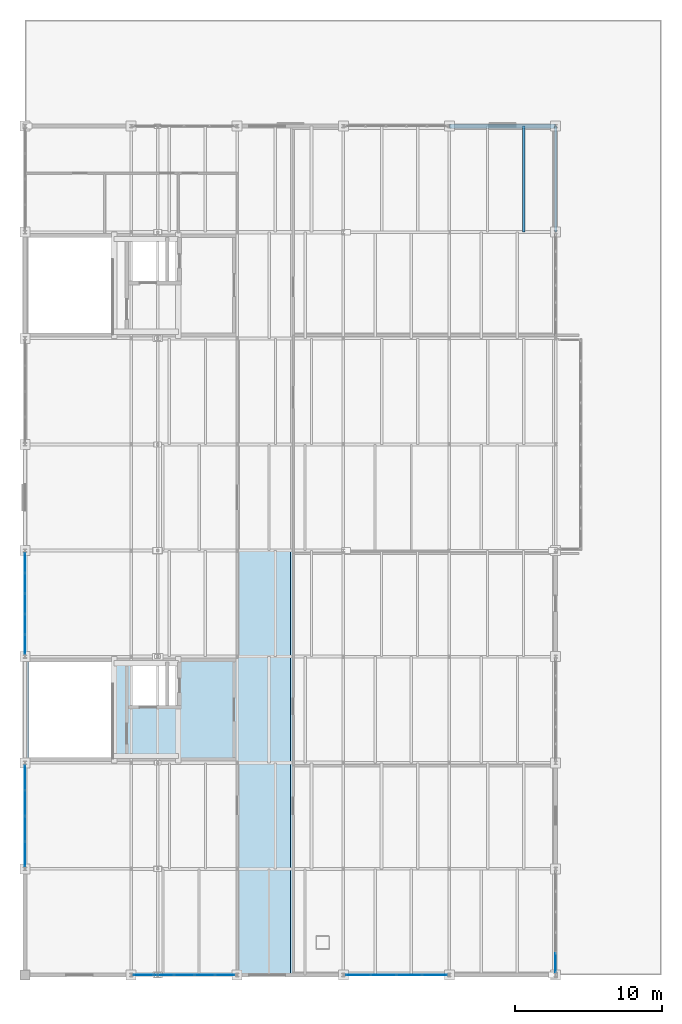
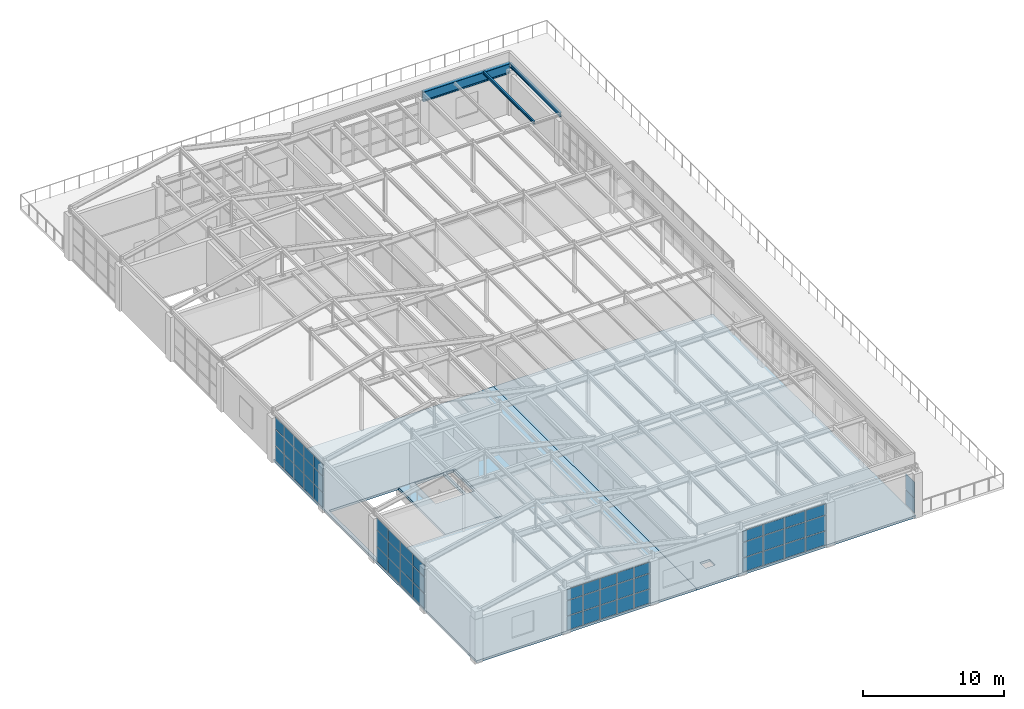
# One storey, part 36 of 43: 56 plates, 3 beams, 3 slabs, 5 elements without a shape of their own.
"""IFC4 building model written with IfcOpenShell, lengths in metres."""

import ifcopenshell
import ifcopenshell.guid

model = None  # the IFC model being written
_history = None  # IfcOwnerHistory: only IFC2X3 demands one
_inside = {}  # id of a spatial element -> (the spatial element, [elements in it])
_under = {}  # id of a project, library or spatial element -> (it, [spatial elements below it])
_declared = {}  # id of a project -> (the project, [libraries it declares])
_typed = {}  # id of a type object -> (the type object, [elements of that type])
_made_of = {}  # id of a material, layer set ... -> (it, [elements and type objects made of it])


def new_model(schema):
    """Start an empty IFC model of exactly this schema.

    Asked for "IFC4X3", IfcOpenShell would pick the latest addendum, in which some entities
    have other attributes; the version numbers below select the first issue.
    IFC2X3 requires an IfcOwnerHistory on every rooted entity: one is made here for all.
    """
    global model, _history
    if schema == "IFC4X3":
        model = ifcopenshell.file(schema_version=(4, 3, 0, 0))
    else:
        model = ifcopenshell.file(schema=schema)
    _inside.clear()
    _under.clear()
    _declared.clear()
    _typed.clear()
    _made_of.clear()
    _history = None
    if model.schema == "IFC2X3":
        org = make("IfcOrganization", Name="unknown")
        user = make(
            "IfcPersonAndOrganization",
            ThePerson=make("IfcPerson", FamilyName="unknown"),
            TheOrganization=org,
        )
        app = make(
            "IfcApplication",
            ApplicationDeveloper=org,
            Version="unknown",
            ApplicationFullName="unknown",
            ApplicationIdentifier="unknown",
        )
        _history = make(
            "IfcOwnerHistory",
            OwningUser=user,
            OwningApplication=app,
            ChangeAction="ADDED",
            CreationDate=0,
        )
    return model


def make(cls, **values):
    """One entity of the class cls with the attributes given. An attribute that is None is left unset."""
    return model.create_entity(
        cls, **{name: value for name, value in values.items() if value is not None}
    )


def rooted(cls, **values):
    """An entity with a GlobalId (a new one), such as an element, a storey or a relation."""
    return make(cls, GlobalId=ifcopenshell.guid.new(), OwnerHistory=_history, **values)


def si_unit(unit_type, name, prefix=None):
    """IfcSIUnit, for example si_unit("LENGTHUNIT", "METRE", prefix="MILLI")."""
    return make("IfcSIUnit", UnitType=unit_type, Prefix=prefix, Name=name)


def assignment(units):
    """IfcUnitAssignment: the units of a project."""
    return None if units is None else make("IfcUnitAssignment", Units=units)


def point(xyz):
    """IfcCartesianPoint."""
    return None if xyz is None else make("IfcCartesianPoint", Coordinates=xyz)


def direction(xyz):
    """IfcDirection."""
    return None if xyz is None else make("IfcDirection", DirectionRatios=xyz)


def frame(location, z_axis=None, x_axis=None):
    """IfcAxis2Placement3D, a coordinate frame: its origin and axes. An axis left out is left unset."""
    return make(
        "IfcAxis2Placement3D",
        Location=point(location),
        Axis=direction(z_axis),
        RefDirection=direction(x_axis),
    )


def frame_2d(location, x_axis=None):
    """IfcAxis2Placement2D, a coordinate frame in the plane: its origin and x axis."""
    return make(
        "IfcAxis2Placement2D", Location=point(location), RefDirection=direction(x_axis)
    )


def origin():
    """The frame at (0, 0, 0) with its axes left unset."""
    return frame((0.0, 0.0, 0.0))


def origin_2d():
    """The frame at (0, 0) in the plane with its x axis left unset."""
    return frame_2d((0.0, 0.0))


def place(relative_to, where):
    """IfcLocalPlacement: puts the frame where relative to a parent placement (None: the world)."""
    return make(
        "IfcLocalPlacement", PlacementRelTo=relative_to, RelativePlacement=where
    )


def context(
    kind, dimensions, precision=None, world=None, true_north=None, identifier=None
):
    """IfcGeometricRepresentationContext, for example the 3D "Model" context."""
    return make(
        "IfcGeometricRepresentationContext",
        ContextIdentifier=identifier,
        ContextType=kind,
        CoordinateSpaceDimension=dimensions,
        Precision=precision,
        WorldCoordinateSystem=world,
        TrueNorth=true_north,
    )


def subcontext(parent, identifier, kind, view, scale=None):
    """IfcGeometricRepresentationSubContext, for example "Body" below "Model"."""
    return make(
        "IfcGeometricRepresentationSubContext",
        ContextIdentifier=identifier,
        ContextType=kind,
        ParentContext=parent,
        TargetScale=scale,
        TargetView=view,
    )


def project(units=None, contexts=None):
    """IfcProject with its units and contexts."""
    return rooted(
        "IfcProject",
        Name="project",
        RepresentationContexts=contexts,
        UnitsInContext=assignment(units),
    )


def spatial(cls, under=None, at=None, **own):
    """A site, building, storey or space (cls), placed at a placement, below another one or the project."""
    s = rooted(cls, ObjectPlacement=at, **own)
    if under is not None:
        _under.setdefault(under.id(), (under, []))[1].append(s)
    return s


def polyline(points):
    """IfcPolyline through the points."""
    return make("IfcPolyline", Points=[point(p) for p in points])


def profile(cls, at=None, kind="AREA", **sizes):
    """A parametric profile (cls). Its sizes go by their IFC names, for example OverallWidth=200.0."""
    return make(cls, ProfileType=kind, Position=at, **sizes)


def rectangle(**sizes):
    """IfcRectangleProfileDef."""
    return profile("IfcRectangleProfileDef", **sizes)


def i_section(**sizes):
    """IfcIShapeProfileDef."""
    return profile("IfcIShapeProfileDef", **sizes)


def outline(outer, holes=None, kind="AREA"):
    """IfcArbitraryClosedProfileDef: a profile drawn as a closed curve; with holes, ...WithVoids."""
    if holes is None:
        return make("IfcArbitraryClosedProfileDef", ProfileType=kind, OuterCurve=outer)
    return make(
        "IfcArbitraryProfileDefWithVoids",
        ProfileType=kind,
        OuterCurve=outer,
        InnerCurves=holes,
    )


def extrude(swept, where, along, depth):
    """IfcExtrudedAreaSolid: the profile swept, set in the frame where, extruded along a direction by depth."""
    return make(
        "IfcExtrudedAreaSolid",
        SweptArea=swept,
        Position=where,
        ExtrudedDirection=direction(along),
        Depth=depth,
    )


def shape(context_of_items, identifier, shape_type, items):
    """IfcShapeRepresentation: the items that make up one representation, for example the "Body"."""
    return make(
        "IfcShapeRepresentation",
        ContextOfItems=context_of_items,
        RepresentationIdentifier=identifier,
        RepresentationType=shape_type,
        Items=items,
    )


def material(Name=None, Category=None):
    """IfcMaterial."""
    return make("IfcMaterial", Name=Name, Category=Category)


def layer(
    of_material, thickness, ventilated=None, Name=None, Category=None, Priority=None
):
    """IfcMaterialLayer: one layer of a wall or slab, of a material (None: an air gap)."""
    return make(
        "IfcMaterialLayer",
        Material=of_material,
        LayerThickness=thickness,
        IsVentilated=ventilated,
        Name=Name,
        Category=Category,
        Priority=Priority,
    )


def layer_set(layers, Name=None):
    """IfcMaterialLayerSet."""
    return make("IfcMaterialLayerSet", MaterialLayers=layers, LayerSetName=Name)


def material_profile(
    of_material, cross_section, Name=None, Category=None, Priority=None
):
    """IfcMaterialProfile: a cross section and its material."""
    return make(
        "IfcMaterialProfile",
        Name=Name,
        Material=of_material,
        Profile=cross_section,
        Priority=Priority,
        Category=Category,
    )


def profile_set(profiles, Name=None, composite=None):
    """IfcMaterialProfileSet."""
    return make(
        "IfcMaterialProfileSet",
        Name=Name,
        MaterialProfiles=profiles,
        CompositeProfile=composite,
    )


def made_of(thing, what):
    """Note that an element or type object is made of a material, layer set ...; save() writes the relation."""
    if what is not None:
        _made_of.setdefault(what.id(), (what, []))[1].append(thing)
    return thing


def type_object(cls, material=None, **own):
    """A type object (cls), such as IfcWallType, which elements share."""
    return made_of(rooted(cls, **own), material)


def element(
    cls,
    number,
    at=None,
    inside=None,
    cuts=None,
    type_object=None,
    material=None,
    context=None,
    identifier="Body",
    shape_type=None,
    held_by="IfcProductDefinitionShape",
    body=None,
    shapes=None,
    **own,
):
    """One element of the class cls, such as IfcWall. Its Tag is "e" and its number.

    at: its placement. inside: the storey or other place that contains it. cuts: it is an
    opening in that element (IfcRelVoidsElement). A single representation is given by context,
    identifier, shape_type and body (its items); several are given by shapes. held_by: the class
    of the entity that holds the representations. save() writes the other relations.
    """
    e = rooted(cls, Tag="e%d" % number, ObjectPlacement=at, **own)
    if body is not None:
        shapes = [shape(context, identifier, shape_type, body)]
    if shapes is not None:
        e.Representation = make(held_by, Representations=shapes)
    if inside is not None:
        _inside.setdefault(inside.id(), (inside, []))[1].append(e)
    if cuts is not None:
        rooted(
            "IfcRelVoidsElement", RelatingBuildingElement=cuts, RelatedOpeningElement=e
        )
    if type_object is not None:
        _typed.setdefault(type_object.id(), (type_object, []))[1].append(e)
    return made_of(e, material)


def aggregate(whole, parts):
    """IfcRelAggregates: a whole, such as a stair, and the parts it consists of."""
    return rooted("IfcRelAggregates", RelatingObject=whole, RelatedObjects=parts)


def save(model, path):
    """Write the relations noted so far, then the file.

    IfcRelAggregates (storeys below a building ...), IfcRelContainedInSpatialStructure (elements
    in a storey), IfcRelDefinesByType, IfcRelAssociatesMaterial and IfcRelDeclares: one each for
    every whole, place, type object, material and project.
    """
    for whole, parts in _under.values():
        aggregate(whole, parts)
    for where, things in _inside.values():
        rooted(
            "IfcRelContainedInSpatialStructure",
            RelatedElements=things,
            RelatingStructure=where,
        )
    for kind, things in _typed.values():
        rooted("IfcRelDefinesByType", RelatedObjects=things, RelatingType=kind)
    for what, things in _made_of.values():
        rooted("IfcRelAssociatesMaterial", RelatedObjects=things, RelatingMaterial=what)
    for by, libraries in _declared.values():
        rooted("IfcRelDeclares", RelatingContext=by, RelatedDefinitions=libraries)
    model.write(path)


model = new_model("IFC4")

# Units and contexts
model_context = context("Model", 3, precision=1e-05, world=origin(), true_north=direction((0.0, 1.0)))
body_context = subcontext(model_context, "Body", "Model", "MODEL_VIEW")
ifc_project = project(units=[si_unit("LENGTHUNIT", "METRE"), si_unit("AREAUNIT", "SQUARE_METRE"), si_unit("VOLUMEUNIT", "CUBIC_METRE"), si_unit("PLANEANGLEUNIT", "RADIAN"), si_unit("MASSUNIT", "GRAM", prefix="KILO")], contexts=[model_context])

# Site, building, storey
site_placement = place(None, origin())
site = spatial("IfcSite", under=ifc_project, at=site_placement, CompositionType="ELEMENT")
building_placement = place(site_placement, origin())
building = spatial("IfcBuilding", under=site, at=building_placement, Name="Kemerveld Promenade Tramway Depot", CompositionType="ELEMENT")
storey_placement = place(building_placement, frame((0.0, 0.0, 18.89990234375)))
storey = spatial("IfcBuildingStorey", under=building, at=storey_placement, Name="L04", CompositionType="ELEMENT", Elevation=18.89990234375)

# Beams
ifc_material_1 = material(Name="Steel S355", Category="steel")
ifc_material_profile_1 = material_profile(ifc_material_1, i_section(OverallWidth=0.293701171875, OverallDepth=0.850830078125, WebThickness=0.01611328125, FlangeThickness=0.02685546875, FilletRadius=0.017822265625, at=origin_2d()), Name="838x292x226 UB")
ifc_profile_set_1 = profile_set([ifc_material_profile_1], Name="Steel S355")
beam_type_1 = type_object("IfcBeamType", Name="BM-G01", PredefinedType="BEAM", material=ifc_profile_set_1)
beam_1_placement = place(storey_placement, frame((28.800048828125, 57.60009765625, 3.89453125), z_axis=(1.0, 0.0, 0.0), x_axis=(0.0, 1.0, 0.0)))
element("IfcBeam", 1, at=beam_1_placement, inside=storey, type_object=beam_type_1, Name="BMX-L04-05-06-J", PredefinedType="BEAM", context=body_context, shape_type="SweptSolid", body=[
    extrude(i_section(OverallWidth=0.293701171875, OverallDepth=0.850830078125, WebThickness=0.01611328125, FlangeThickness=0.02685546875, FilletRadius=0.017822265625, at=origin_2d()), origin(), (0.0, 0.0, 1.0), 7.199951171875),
])
ifc_material_profile_2 = material_profile(ifc_material_1, i_section(OverallWidth=0.172119140625, OverallDepth=0.35791015625, WebThickness=0.008056640625, FlangeThickness=0.012939453125, FilletRadius=0.01025390625, at=origin_2d()), Name="356x171x57 UB")
ifc_profile_set_2 = profile_set([ifc_material_profile_2], Name="Steel S355")
beam_type_2 = type_object("IfcBeamType", Name="BM-G08", PredefinedType="BEAM", material=ifc_profile_set_2)
beam_2_placement = place(storey_placement, frame((36.0, 50.39990234375, 4.14111328125), z_axis=(0.0, 1.0, 0.0), x_axis=(-1.0, 0.0, 0.0)))
element("IfcBeam", 2, at=beam_2_placement, inside=storey, type_object=beam_type_2, Name="BMY-L04-06-H-J", PredefinedType="BEAM", context=body_context, shape_type="SweptSolid", body=[
    extrude(i_section(OverallWidth=0.172119140625, OverallDepth=0.35791015625, WebThickness=0.008056640625, FlangeThickness=0.012939453125, FilletRadius=0.01025390625, at=origin_2d()), origin(), (0.0, 0.0, 1.0), 7.2001953125),
])
ifc_material_profile_3 = material_profile(ifc_material_1, i_section(OverallWidth=0.146484375, OverallDepth=0.256103515625, WebThickness=0.00634765625, FlangeThickness=0.010986328125, FilletRadius=0.007568359375, at=origin_2d()), Name="254x146x37 UB")
ifc_profile_set_3 = profile_set([ifc_material_profile_3], Name="Steel S355")
beam_type_3 = type_object("IfcBeamType", Name="BM-J02", PredefinedType="JOIST", material=ifc_profile_set_3)
beam_3_placement = place(storey_placement, frame((33.840087890625, 50.39990234375, 4.192138671875), z_axis=(0.0, 1.0, 0.0), x_axis=(-1.0, 0.0, 0.0)))
element("IfcBeam", 3, at=beam_3_placement, inside=storey, type_object=beam_type_3, Name="JST-L04-05-H-2", PredefinedType="JOIST", context=body_context, shape_type="SweptSolid", body=[
    extrude(i_section(OverallWidth=0.146484375, OverallDepth=0.256103515625, WebThickness=0.00634765625, FlangeThickness=0.010986328125, FilletRadius=0.007568359375, at=origin_2d()), origin(), (0.0, 0.0, 1.0), 7.2001953125),
])

# Curtain wall, plates
ifc_material_2 = material(Name="Bronze anodised aluminium and solar glass", Category="aluminium")
ifc_layer_1 = layer(ifc_material_2, 0.159912109375)
ifc_layer_set_1 = layer_set([ifc_layer_1], Name="CW-SYS-05")
curtain_wall_type_1 = type_object("IfcCurtainWallType", Name="CW-SYS-05", PredefinedType="USERDEFINED", material=ifc_layer_set_1)
curtain_wall_1_placement = place(storey_placement, origin())
curtain_wall_1 = element("IfcCurtainWall", 4, at=curtain_wall_1_placement, inside=storey, type_object=curtain_wall_type_1, Name="CW-L04-V5W-02", ObjectType="GLAZED_CURTAIN_WALL", PredefinedType="USERDEFINED")
ifc_material_3 = material(Name="Solar-control laminated double glazing", Category="glass")
ifc_layer_2 = layer(ifc_material_3, 0.031982421875)
ifc_layer_set_2 = layer_set([ifc_layer_2], Name="CW-PNL-05")
plate_type_1 = type_object("IfcPlateType", Name="CW-PNL-05", PredefinedType="CURTAIN_PANEL", material=ifc_layer_set_2)
plate_1_placement = place(storey_placement, frame((0.0, 8.2099609375, 0.06005859375), z_axis=(0.0, 0.0, 1.0), x_axis=(0.0, 1.0, 0.0)))
plate_1 = element("IfcPlate", 5, at=plate_1_placement, type_object=plate_type_1, Name="CW05 panel 1.1", PredefinedType="CURTAIN_PANEL", context=body_context, shape_type="SweptSolid", body=[
    extrude(rectangle(XDim=1.64013671875, YDim=0.031982421875, at=origin_2d()), origin(), (0.0, 0.0, 1.0), 1.257080078125),
])
plate_2_placement = place(storey_placement, frame((0.0, 8.2099609375, 1.376953125), z_axis=(0.0, 0.0, 1.0), x_axis=(0.0, 1.0, 0.0)))
plate_2 = element("IfcPlate", 6, at=plate_2_placement, type_object=plate_type_1, Name="CW05 panel 1.2", PredefinedType="CURTAIN_PANEL", context=body_context, shape_type="SweptSolid", body=[
    extrude(rectangle(XDim=1.64013671875, YDim=0.031982421875, at=origin_2d()), origin(), (0.0, 0.0, 1.0), 1.364990234375),
])
plate_3_placement = place(storey_placement, frame((0.0, 8.2099609375, 2.80224609375), z_axis=(0.0, 0.0, 1.0), x_axis=(0.0, 1.0, 0.0)))
plate_3 = element("IfcPlate", 7, at=plate_3_placement, type_object=plate_type_1, Name="CW05 panel 1.3", PredefinedType="CURTAIN_PANEL", context=body_context, shape_type="SweptSolid", body=[
    extrude(rectangle(XDim=1.64013671875, YDim=0.031982421875, at=origin_2d()), origin(), (0.0, 0.0, 1.0), 0.988037109375),
])
plate_4_placement = place(storey_placement, frame((0.0, 9.93115234375, 0.06005859375), z_axis=(0.0, 0.0, 1.0), x_axis=(0.0, 1.0, 0.0)))
plate_4 = element("IfcPlate", 8, at=plate_4_placement, type_object=plate_type_1, Name="CW05 panel 2.1", PredefinedType="CURTAIN_PANEL", context=body_context, shape_type="SweptSolid", body=[
    extrude(rectangle(XDim=1.672607421875, YDim=0.031982421875, at=origin_2d()), origin(), (0.0, 0.0, 1.0), 1.257080078125),
])
plate_5_placement = place(storey_placement, frame((0.0, 9.93115234375, 1.376953125), z_axis=(0.0, 0.0, 1.0), x_axis=(0.0, 1.0, 0.0)))
plate_5 = element("IfcPlate", 9, at=plate_5_placement, type_object=plate_type_1, Name="CW05 panel 2.2", PredefinedType="CURTAIN_PANEL", context=body_context, shape_type="SweptSolid", body=[
    extrude(rectangle(XDim=1.672607421875, YDim=0.031982421875, at=origin_2d()), origin(), (0.0, 0.0, 1.0), 1.364990234375),
])
plate_6_placement = place(storey_placement, frame((0.0, 9.93115234375, 2.80224609375), z_axis=(0.0, 0.0, 1.0), x_axis=(0.0, 1.0, 0.0)))
plate_6 = element("IfcPlate", 10, at=plate_6_placement, type_object=plate_type_1, Name="CW05 panel 2.3", PredefinedType="CURTAIN_PANEL", context=body_context, shape_type="SweptSolid", body=[
    extrude(rectangle(XDim=1.672607421875, YDim=0.031982421875, at=origin_2d()), origin(), (0.0, 0.0, 1.0), 0.988037109375),
])
plate_7_placement = place(storey_placement, frame((0.0, 11.668701171875, 0.06005859375), z_axis=(0.0, 0.0, 1.0), x_axis=(0.0, 1.0, 0.0)))
plate_7 = element("IfcPlate", 11, at=plate_7_placement, type_object=plate_type_1, Name="CW05 panel 3.1", PredefinedType="CURTAIN_PANEL", context=body_context, shape_type="SweptSolid", body=[
    extrude(rectangle(XDim=1.672607421875, YDim=0.031982421875, at=origin_2d()), origin(), (0.0, 0.0, 1.0), 1.257080078125),
])
plate_8_placement = place(storey_placement, frame((0.0, 11.668701171875, 1.376953125), z_axis=(0.0, 0.0, 1.0), x_axis=(0.0, 1.0, 0.0)))
plate_8 = element("IfcPlate", 12, at=plate_8_placement, type_object=plate_type_1, Name="CW05 panel 3.2", PredefinedType="CURTAIN_PANEL", context=body_context, shape_type="SweptSolid", body=[
    extrude(rectangle(XDim=1.672607421875, YDim=0.031982421875, at=origin_2d()), origin(), (0.0, 0.0, 1.0), 1.364990234375),
])
plate_9_placement = place(storey_placement, frame((0.0, 11.668701171875, 2.80224609375), z_axis=(0.0, 0.0, 1.0), x_axis=(0.0, 1.0, 0.0)))
plate_9 = element("IfcPlate", 13, at=plate_9_placement, type_object=plate_type_1, Name="CW05 panel 3.3", PredefinedType="CURTAIN_PANEL", context=body_context, shape_type="SweptSolid", body=[
    extrude(rectangle(XDim=1.672607421875, YDim=0.031982421875, at=origin_2d()), origin(), (0.0, 0.0, 1.0), 0.988037109375),
])
plate_10_placement = place(storey_placement, frame((0.0, 13.39013671875, 0.06005859375), z_axis=(0.0, 0.0, 1.0), x_axis=(0.0, 1.0, 0.0)))
plate_10 = element("IfcPlate", 14, at=plate_10_placement, type_object=plate_type_1, Name="CW05 panel 4.1", PredefinedType="CURTAIN_PANEL", context=body_context, shape_type="SweptSolid", body=[
    extrude(rectangle(XDim=1.64013671875, YDim=0.031982421875, at=origin_2d()), origin(), (0.0, 0.0, 1.0), 1.257080078125),
])
plate_11_placement = place(storey_placement, frame((0.0, 13.39013671875, 1.376953125), z_axis=(0.0, 0.0, 1.0), x_axis=(0.0, 1.0, 0.0)))
plate_11 = element("IfcPlate", 15, at=plate_11_placement, type_object=plate_type_1, Name="CW05 panel 4.2", PredefinedType="CURTAIN_PANEL", context=body_context, shape_type="SweptSolid", body=[
    extrude(rectangle(XDim=1.64013671875, YDim=0.031982421875, at=origin_2d()), origin(), (0.0, 0.0, 1.0), 1.364990234375),
])
plate_12_placement = place(storey_placement, frame((0.0, 13.39013671875, 2.80224609375), z_axis=(0.0, 0.0, 1.0), x_axis=(0.0, 1.0, 0.0)))
plate_12 = element("IfcPlate", 16, at=plate_12_placement, type_object=plate_type_1, Name="CW05 panel 4.3", PredefinedType="CURTAIN_PANEL", context=body_context, shape_type="SweptSolid", body=[
    extrude(rectangle(XDim=1.64013671875, YDim=0.031982421875, at=origin_2d()), origin(), (0.0, 0.0, 1.0), 0.988037109375),
])
aggregate(curtain_wall_1, [plate_1, plate_2, plate_3, plate_4, plate_5, plate_6, plate_7, plate_8, plate_9, plate_10, plate_11, plate_12])

curtain_wall_2_placement = place(storey_placement, origin())
curtain_wall_2 = element("IfcCurtainWall", 17, at=curtain_wall_2_placement, inside=storey, type_object=curtain_wall_type_1, Name="CW-L04-V5S-02", ObjectType="GLAZED_CURTAIN_WALL", PredefinedType="USERDEFINED")
plate_13_placement = place(storey_placement, frame((27.7900390625, 0.0, 0.06005859375), z_axis=(0.0, 0.0, 1.0), x_axis=(-1.0, 0.0, 0.0)))
plate_13 = element("IfcPlate", 18, at=plate_13_placement, type_object=plate_type_1, Name="CW05 panel 1.1", PredefinedType="CURTAIN_PANEL", context=body_context, shape_type="SweptSolid", body=[
    extrude(rectangle(XDim=1.64013671875, YDim=0.031982421875, at=origin_2d()), origin(), (0.0, 0.0, 1.0), 1.18994140625),
])
plate_14_placement = place(storey_placement, frame((27.7900390625, 0.0, 1.31005859375), z_axis=(0.0, 0.0, 1.0), x_axis=(-1.0, 0.0, 0.0)))
plate_14 = element("IfcPlate", 19, at=plate_14_placement, type_object=plate_type_1, Name="CW05 panel 1.2", PredefinedType="CURTAIN_PANEL", context=body_context, shape_type="SweptSolid", body=[
    extrude(rectangle(XDim=1.64013671875, YDim=0.031982421875, at=origin_2d()), origin(), (0.0, 0.0, 1.0), 1.2939453125),
])
plate_15_placement = place(storey_placement, frame((27.7900390625, 0.0, 2.6640625), z_axis=(0.0, 0.0, 1.0), x_axis=(-1.0, 0.0, 0.0)))
plate_15 = element("IfcPlate", 20, at=plate_15_placement, type_object=plate_type_1, Name="CW05 panel 1.3", PredefinedType="CURTAIN_PANEL", context=body_context, shape_type="SweptSolid", body=[
    extrude(rectangle(XDim=1.64013671875, YDim=0.031982421875, at=origin_2d()), origin(), (0.0, 0.0, 1.0), 0.93408203125),
])
plate_16_placement = place(storey_placement, frame((26.06884765625, 0.0, 0.06005859375), z_axis=(0.0, 0.0, 1.0), x_axis=(-1.0, 0.0, 0.0)))
plate_16 = element("IfcPlate", 21, at=plate_16_placement, type_object=plate_type_1, Name="CW05 panel 2.1", PredefinedType="CURTAIN_PANEL", context=body_context, shape_type="SweptSolid", body=[
    extrude(rectangle(XDim=1.672607421875, YDim=0.031982421875, at=origin_2d()), origin(), (0.0, 0.0, 1.0), 1.18994140625),
])
plate_17_placement = place(storey_placement, frame((26.06884765625, 0.0, 1.31005859375), z_axis=(0.0, 0.0, 1.0), x_axis=(-1.0, 0.0, 0.0)))
plate_17 = element("IfcPlate", 22, at=plate_17_placement, type_object=plate_type_1, Name="CW05 panel 2.2", PredefinedType="CURTAIN_PANEL", context=body_context, shape_type="SweptSolid", body=[
    extrude(rectangle(XDim=1.672607421875, YDim=0.031982421875, at=origin_2d()), origin(), (0.0, 0.0, 1.0), 1.2939453125),
])
plate_18_placement = place(storey_placement, frame((26.06884765625, 0.0, 2.6640625), z_axis=(0.0, 0.0, 1.0), x_axis=(-1.0, 0.0, 0.0)))
plate_18 = element("IfcPlate", 23, at=plate_18_placement, type_object=plate_type_1, Name="CW05 panel 2.3", PredefinedType="CURTAIN_PANEL", context=body_context, shape_type="SweptSolid", body=[
    extrude(rectangle(XDim=1.672607421875, YDim=0.031982421875, at=origin_2d()), origin(), (0.0, 0.0, 1.0), 0.93408203125),
])
plate_19_placement = place(storey_placement, frame((24.331298828125, 0.0, 0.06005859375), z_axis=(0.0, 0.0, 1.0), x_axis=(-1.0, 0.0, 0.0)))
plate_19 = element("IfcPlate", 24, at=plate_19_placement, type_object=plate_type_1, Name="CW05 panel 3.1", PredefinedType="CURTAIN_PANEL", context=body_context, shape_type="SweptSolid", body=[
    extrude(rectangle(XDim=1.672607421875, YDim=0.031982421875, at=origin_2d()), origin(), (0.0, 0.0, 1.0), 1.18994140625),
])
plate_20_placement = place(storey_placement, frame((24.331298828125, 0.0, 1.31005859375), z_axis=(0.0, 0.0, 1.0), x_axis=(-1.0, 0.0, 0.0)))
plate_20 = element("IfcPlate", 25, at=plate_20_placement, type_object=plate_type_1, Name="CW05 panel 3.2", PredefinedType="CURTAIN_PANEL", context=body_context, shape_type="SweptSolid", body=[
    extrude(rectangle(XDim=1.672607421875, YDim=0.031982421875, at=origin_2d()), origin(), (0.0, 0.0, 1.0), 1.2939453125),
])
plate_21_placement = place(storey_placement, frame((24.331298828125, 0.0, 2.6640625), z_axis=(0.0, 0.0, 1.0), x_axis=(-1.0, 0.0, 0.0)))
plate_21 = element("IfcPlate", 26, at=plate_21_placement, type_object=plate_type_1, Name="CW05 panel 3.3", PredefinedType="CURTAIN_PANEL", context=body_context, shape_type="SweptSolid", body=[
    extrude(rectangle(XDim=1.672607421875, YDim=0.031982421875, at=origin_2d()), origin(), (0.0, 0.0, 1.0), 0.93408203125),
])
plate_22_placement = place(storey_placement, frame((22.60986328125, 0.0, 0.06005859375), z_axis=(0.0, 0.0, 1.0), x_axis=(-1.0, 0.0, 0.0)))
plate_22 = element("IfcPlate", 27, at=plate_22_placement, type_object=plate_type_1, Name="CW05 panel 4.1", PredefinedType="CURTAIN_PANEL", context=body_context, shape_type="SweptSolid", body=[
    extrude(rectangle(XDim=1.64013671875, YDim=0.031982421875, at=origin_2d()), origin(), (0.0, 0.0, 1.0), 1.18994140625),
])
plate_23_placement = place(storey_placement, frame((22.60986328125, 0.0, 1.31005859375), z_axis=(0.0, 0.0, 1.0), x_axis=(-1.0, 0.0, 0.0)))
plate_23 = element("IfcPlate", 28, at=plate_23_placement, type_object=plate_type_1, Name="CW05 panel 4.2", PredefinedType="CURTAIN_PANEL", context=body_context, shape_type="SweptSolid", body=[
    extrude(rectangle(XDim=1.64013671875, YDim=0.031982421875, at=origin_2d()), origin(), (0.0, 0.0, 1.0), 1.2939453125),
])
plate_24_placement = place(storey_placement, frame((22.60986328125, 0.0, 2.6640625), z_axis=(0.0, 0.0, 1.0), x_axis=(-1.0, 0.0, 0.0)))
plate_24 = element("IfcPlate", 29, at=plate_24_placement, type_object=plate_type_1, Name="CW05 panel 4.3", PredefinedType="CURTAIN_PANEL", context=body_context, shape_type="SweptSolid", body=[
    extrude(rectangle(XDim=1.64013671875, YDim=0.031982421875, at=origin_2d()), origin(), (0.0, 0.0, 1.0), 0.93408203125),
])
aggregate(curtain_wall_2, [plate_13, plate_14, plate_15, plate_16, plate_17, plate_18, plate_19, plate_20, plate_21, plate_22, plate_23, plate_24])

ifc_layer_3 = layer(ifc_material_2, 0.159912109375)
ifc_layer_set_3 = layer_set([ifc_layer_3], Name="CW-SYS-07")
curtain_wall_type_2 = type_object("IfcCurtainWallType", Name="CW-SYS-07", PredefinedType="USERDEFINED", material=ifc_layer_set_3)
curtain_wall_3_placement = place(storey_placement, origin())
curtain_wall_3 = element("IfcCurtainWall", 30, at=curtain_wall_3_placement, inside=storey, type_object=curtain_wall_type_2, Name="CW-L04-V5W-04", ObjectType="GLAZED_CURTAIN_WALL", PredefinedType="USERDEFINED")
ifc_layer_4 = layer(ifc_material_3, 0.030029296875)
ifc_layer_set_4 = layer_set([ifc_layer_4], Name="CW-PNL-07")
plate_type_2 = type_object("IfcPlateType", Name="CW-PNL-07", PredefinedType="CURTAIN_PANEL", material=ifc_layer_set_4)
plate_25_placement = place(storey_placement, frame((0.0, 22.43603515625, 0.06005859375), z_axis=(0.0, 0.0, 1.0), x_axis=(0.0, 1.0, 0.0)))
plate_25 = element("IfcPlate", 31, at=plate_25_placement, type_object=plate_type_2, Name="CW07 panel 1.1", PredefinedType="CURTAIN_PANEL", context=body_context, shape_type="SweptSolid", body=[
    extrude(rectangle(XDim=1.29248046875, YDim=0.030029296875, at=origin_2d()), origin(), (0.0, 0.0, 1.0), 1.257080078125),
])
plate_26_placement = place(storey_placement, frame((0.0, 22.43603515625, 1.376953125), z_axis=(0.0, 0.0, 1.0), x_axis=(0.0, 1.0, 0.0)))
plate_26 = element("IfcPlate", 32, at=plate_26_placement, type_object=plate_type_2, Name="CW07 panel 1.2", PredefinedType="CURTAIN_PANEL", context=body_context, shape_type="SweptSolid", body=[
    extrude(rectangle(XDim=1.29248046875, YDim=0.030029296875, at=origin_2d()), origin(), (0.0, 0.0, 1.0), 1.364990234375),
])
plate_27_placement = place(storey_placement, frame((0.0, 22.43603515625, 2.80224609375), z_axis=(0.0, 0.0, 1.0), x_axis=(0.0, 1.0, 0.0)))
plate_27 = element("IfcPlate", 33, at=plate_27_placement, type_object=plate_type_2, Name="CW07 panel 1.3", PredefinedType="CURTAIN_PANEL", context=body_context, shape_type="SweptSolid", body=[
    extrude(rectangle(XDim=1.29248046875, YDim=0.030029296875, at=origin_2d()), origin(), (0.0, 0.0, 1.0), 0.988037109375),
])
plate_28_placement = place(storey_placement, frame((0.0, 23.809814453125, 0.06005859375), z_axis=(0.0, 0.0, 1.0), x_axis=(0.0, 1.0, 0.0)))
plate_28 = element("IfcPlate", 34, at=plate_28_placement, type_object=plate_type_2, Name="CW07 panel 2.1", PredefinedType="CURTAIN_PANEL", context=body_context, shape_type="SweptSolid", body=[
    extrude(rectangle(XDim=1.3251953125, YDim=0.030029296875, at=origin_2d()), origin(), (0.0, 0.0, 1.0), 1.257080078125),
])
plate_29_placement = place(storey_placement, frame((0.0, 23.809814453125, 1.376953125), z_axis=(0.0, 0.0, 1.0), x_axis=(0.0, 1.0, 0.0)))
plate_29 = element("IfcPlate", 35, at=plate_29_placement, type_object=plate_type_2, Name="CW07 panel 2.2", PredefinedType="CURTAIN_PANEL", context=body_context, shape_type="SweptSolid", body=[
    extrude(rectangle(XDim=1.3251953125, YDim=0.030029296875, at=origin_2d()), origin(), (0.0, 0.0, 1.0), 1.364990234375),
])
plate_30_placement = place(storey_placement, frame((0.0, 23.809814453125, 2.80224609375), z_axis=(0.0, 0.0, 1.0), x_axis=(0.0, 1.0, 0.0)))
plate_30 = element("IfcPlate", 36, at=plate_30_placement, type_object=plate_type_2, Name="CW07 panel 2.3", PredefinedType="CURTAIN_PANEL", context=body_context, shape_type="SweptSolid", body=[
    extrude(rectangle(XDim=1.3251953125, YDim=0.030029296875, at=origin_2d()), origin(), (0.0, 0.0, 1.0), 0.988037109375),
])
plate_31_placement = place(storey_placement, frame((0.0, 25.199951171875, 0.06005859375), z_axis=(0.0, 0.0, 1.0), x_axis=(0.0, 1.0, 0.0)))
plate_31 = element("IfcPlate", 37, at=plate_31_placement, type_object=plate_type_2, Name="CW07 panel 3.1", PredefinedType="CURTAIN_PANEL", context=body_context, shape_type="SweptSolid", body=[
    extrude(rectangle(XDim=1.3251953125, YDim=0.030029296875, at=origin_2d()), origin(), (0.0, 0.0, 1.0), 1.257080078125),
])
plate_32_placement = place(storey_placement, frame((0.0, 25.199951171875, 1.376953125), z_axis=(0.0, 0.0, 1.0), x_axis=(0.0, 1.0, 0.0)))
plate_32 = element("IfcPlate", 38, at=plate_32_placement, type_object=plate_type_2, Name="CW07 panel 3.2", PredefinedType="CURTAIN_PANEL", context=body_context, shape_type="SweptSolid", body=[
    extrude(rectangle(XDim=1.3251953125, YDim=0.030029296875, at=origin_2d()), origin(), (0.0, 0.0, 1.0), 1.364990234375),
])
plate_33_placement = place(storey_placement, frame((0.0, 25.199951171875, 2.80224609375), z_axis=(0.0, 0.0, 1.0), x_axis=(0.0, 1.0, 0.0)))
plate_33 = element("IfcPlate", 39, at=plate_33_placement, type_object=plate_type_2, Name="CW07 panel 3.3", PredefinedType="CURTAIN_PANEL", context=body_context, shape_type="SweptSolid", body=[
    extrude(rectangle(XDim=1.3251953125, YDim=0.030029296875, at=origin_2d()), origin(), (0.0, 0.0, 1.0), 0.988037109375),
])
plate_34_placement = place(storey_placement, frame((0.0, 26.590087890625, 0.06005859375), z_axis=(0.0, 0.0, 1.0), x_axis=(0.0, 1.0, 0.0)))
plate_34 = element("IfcPlate", 40, at=plate_34_placement, type_object=plate_type_2, Name="CW07 panel 4.1", PredefinedType="CURTAIN_PANEL", context=body_context, shape_type="SweptSolid", body=[
    extrude(rectangle(XDim=1.3251953125, YDim=0.030029296875, at=origin_2d()), origin(), (0.0, 0.0, 1.0), 1.257080078125),
])
plate_35_placement = place(storey_placement, frame((0.0, 26.590087890625, 1.376953125), z_axis=(0.0, 0.0, 1.0), x_axis=(0.0, 1.0, 0.0)))
plate_35 = element("IfcPlate", 41, at=plate_35_placement, type_object=plate_type_2, Name="CW07 panel 4.2", PredefinedType="CURTAIN_PANEL", context=body_context, shape_type="SweptSolid", body=[
    extrude(rectangle(XDim=1.3251953125, YDim=0.030029296875, at=origin_2d()), origin(), (0.0, 0.0, 1.0), 1.364990234375),
])
plate_36_placement = place(storey_placement, frame((0.0, 26.590087890625, 2.80224609375), z_axis=(0.0, 0.0, 1.0), x_axis=(0.0, 1.0, 0.0)))
plate_36 = element("IfcPlate", 42, at=plate_36_placement, type_object=plate_type_2, Name="CW07 panel 4.3", PredefinedType="CURTAIN_PANEL", context=body_context, shape_type="SweptSolid", body=[
    extrude(rectangle(XDim=1.3251953125, YDim=0.030029296875, at=origin_2d()), origin(), (0.0, 0.0, 1.0), 0.988037109375),
])
plate_37_placement = place(storey_placement, frame((0.0, 27.9638671875, 0.06005859375), z_axis=(0.0, 0.0, 1.0), x_axis=(0.0, 1.0, 0.0)))
plate_37 = element("IfcPlate", 43, at=plate_37_placement, type_object=plate_type_2, Name="CW07 panel 5.1", PredefinedType="CURTAIN_PANEL", context=body_context, shape_type="SweptSolid", body=[
    extrude(rectangle(XDim=1.29248046875, YDim=0.030029296875, at=origin_2d()), origin(), (0.0, 0.0, 1.0), 1.257080078125),
])
plate_38_placement = place(storey_placement, frame((0.0, 27.9638671875, 1.376953125), z_axis=(0.0, 0.0, 1.0), x_axis=(0.0, 1.0, 0.0)))
plate_38 = element("IfcPlate", 44, at=plate_38_placement, type_object=plate_type_2, Name="CW07 panel 5.2", PredefinedType="CURTAIN_PANEL", context=body_context, shape_type="SweptSolid", body=[
    extrude(rectangle(XDim=1.29248046875, YDim=0.030029296875, at=origin_2d()), origin(), (0.0, 0.0, 1.0), 1.364990234375),
])
plate_39_placement = place(storey_placement, frame((0.0, 27.9638671875, 2.80224609375), z_axis=(0.0, 0.0, 1.0), x_axis=(0.0, 1.0, 0.0)))
plate_39 = element("IfcPlate", 45, at=plate_39_placement, type_object=plate_type_2, Name="CW07 panel 5.3", PredefinedType="CURTAIN_PANEL", context=body_context, shape_type="SweptSolid", body=[
    extrude(rectangle(XDim=1.29248046875, YDim=0.030029296875, at=origin_2d()), origin(), (0.0, 0.0, 1.0), 0.988037109375),
])
aggregate(curtain_wall_3, [plate_25, plate_26, plate_27, plate_28, plate_29, plate_30, plate_31, plate_32, plate_33, plate_34, plate_35, plate_36, plate_37, plate_38, plate_39])

curtain_wall_4_placement = place(storey_placement, origin())
curtain_wall_4 = element("IfcCurtainWall", 46, at=curtain_wall_4_placement, inside=storey, type_object=curtain_wall_type_2, Name="CW-L04-V5S-04", ObjectType="GLAZED_CURTAIN_WALL", PredefinedType="USERDEFINED")
plate_40_placement = place(storey_placement, frame((13.56396484375, 0.0, 0.06005859375), z_axis=(0.0, 0.0, 1.0), x_axis=(-1.0, 0.0, 0.0)))
plate_40 = element("IfcPlate", 47, at=plate_40_placement, type_object=plate_type_2, Name="CW07 panel 1.1", PredefinedType="CURTAIN_PANEL", context=body_context, shape_type="SweptSolid", body=[
    extrude(rectangle(XDim=1.29248046875, YDim=0.030029296875, at=origin_2d()), origin(), (0.0, 0.0, 1.0), 1.18994140625),
])
plate_41_placement = place(storey_placement, frame((13.56396484375, 0.0, 1.31005859375), z_axis=(0.0, 0.0, 1.0), x_axis=(-1.0, 0.0, 0.0)))
plate_41 = element("IfcPlate", 48, at=plate_41_placement, type_object=plate_type_2, Name="CW07 panel 1.2", PredefinedType="CURTAIN_PANEL", context=body_context, shape_type="SweptSolid", body=[
    extrude(rectangle(XDim=1.29248046875, YDim=0.030029296875, at=origin_2d()), origin(), (0.0, 0.0, 1.0), 1.2939453125),
])
plate_42_placement = place(storey_placement, frame((13.56396484375, 0.0, 2.6640625), z_axis=(0.0, 0.0, 1.0), x_axis=(-1.0, 0.0, 0.0)))
plate_42 = element("IfcPlate", 49, at=plate_42_placement, type_object=plate_type_2, Name="CW07 panel 1.3", PredefinedType="CURTAIN_PANEL", context=body_context, shape_type="SweptSolid", body=[
    extrude(rectangle(XDim=1.29248046875, YDim=0.030029296875, at=origin_2d()), origin(), (0.0, 0.0, 1.0), 0.93408203125),
])
plate_43_placement = place(storey_placement, frame((12.190185546875, 0.0, 0.06005859375), z_axis=(0.0, 0.0, 1.0), x_axis=(-1.0, 0.0, 0.0)))
plate_43 = element("IfcPlate", 50, at=plate_43_placement, type_object=plate_type_2, Name="CW07 panel 2.1", PredefinedType="CURTAIN_PANEL", context=body_context, shape_type="SweptSolid", body=[
    extrude(rectangle(XDim=1.3251953125, YDim=0.030029296875, at=origin_2d()), origin(), (0.0, 0.0, 1.0), 1.18994140625),
])
plate_44_placement = place(storey_placement, frame((12.190185546875, 0.0, 1.31005859375), z_axis=(0.0, 0.0, 1.0), x_axis=(-1.0, 0.0, 0.0)))
plate_44 = element("IfcPlate", 51, at=plate_44_placement, type_object=plate_type_2, Name="CW07 panel 2.2", PredefinedType="CURTAIN_PANEL", context=body_context, shape_type="SweptSolid", body=[
    extrude(rectangle(XDim=1.3251953125, YDim=0.030029296875, at=origin_2d()), origin(), (0.0, 0.0, 1.0), 1.2939453125),
])
plate_45_placement = place(storey_placement, frame((12.190185546875, 0.0, 2.6640625), z_axis=(0.0, 0.0, 1.0), x_axis=(-1.0, 0.0, 0.0)))
plate_45 = element("IfcPlate", 52, at=plate_45_placement, type_object=plate_type_2, Name="CW07 panel 2.3", PredefinedType="CURTAIN_PANEL", context=body_context, shape_type="SweptSolid", body=[
    extrude(rectangle(XDim=1.3251953125, YDim=0.030029296875, at=origin_2d()), origin(), (0.0, 0.0, 1.0), 0.93408203125),
])
plate_46_placement = place(storey_placement, frame((10.800048828125, 0.0, 0.06005859375), z_axis=(0.0, 0.0, 1.0), x_axis=(-1.0, 0.0, 0.0)))
plate_46 = element("IfcPlate", 53, at=plate_46_placement, type_object=plate_type_2, Name="CW07 panel 3.1", PredefinedType="CURTAIN_PANEL", context=body_context, shape_type="SweptSolid", body=[
    extrude(rectangle(XDim=1.3251953125, YDim=0.030029296875, at=origin_2d()), origin(), (0.0, 0.0, 1.0), 1.18994140625),
])
plate_47_placement = place(storey_placement, frame((10.800048828125, 0.0, 1.31005859375), z_axis=(0.0, 0.0, 1.0), x_axis=(-1.0, 0.0, 0.0)))
plate_47 = element("IfcPlate", 54, at=plate_47_placement, type_object=plate_type_2, Name="CW07 panel 3.2", PredefinedType="CURTAIN_PANEL", context=body_context, shape_type="SweptSolid", body=[
    extrude(rectangle(XDim=1.3251953125, YDim=0.030029296875, at=origin_2d()), origin(), (0.0, 0.0, 1.0), 1.2939453125),
])
plate_48_placement = place(storey_placement, frame((10.800048828125, 0.0, 2.6640625), z_axis=(0.0, 0.0, 1.0), x_axis=(-1.0, 0.0, 0.0)))
plate_48 = element("IfcPlate", 55, at=plate_48_placement, type_object=plate_type_2, Name="CW07 panel 3.3", PredefinedType="CURTAIN_PANEL", context=body_context, shape_type="SweptSolid", body=[
    extrude(rectangle(XDim=1.3251953125, YDim=0.030029296875, at=origin_2d()), origin(), (0.0, 0.0, 1.0), 0.93408203125),
])
plate_49_placement = place(storey_placement, frame((9.409912109375, 0.0, 0.06005859375), z_axis=(0.0, 0.0, 1.0), x_axis=(-1.0, 0.0, 0.0)))
plate_49 = element("IfcPlate", 56, at=plate_49_placement, type_object=plate_type_2, Name="CW07 panel 4.1", PredefinedType="CURTAIN_PANEL", context=body_context, shape_type="SweptSolid", body=[
    extrude(rectangle(XDim=1.3251953125, YDim=0.030029296875, at=origin_2d()), origin(), (0.0, 0.0, 1.0), 1.18994140625),
])
plate_50_placement = place(storey_placement, frame((9.409912109375, 0.0, 1.31005859375), z_axis=(0.0, 0.0, 1.0), x_axis=(-1.0, 0.0, 0.0)))
plate_50 = element("IfcPlate", 57, at=plate_50_placement, type_object=plate_type_2, Name="CW07 panel 4.2", PredefinedType="CURTAIN_PANEL", context=body_context, shape_type="SweptSolid", body=[
    extrude(rectangle(XDim=1.3251953125, YDim=0.030029296875, at=origin_2d()), origin(), (0.0, 0.0, 1.0), 1.2939453125),
])
plate_51_placement = place(storey_placement, frame((9.409912109375, 0.0, 2.6640625), z_axis=(0.0, 0.0, 1.0), x_axis=(-1.0, 0.0, 0.0)))
plate_51 = element("IfcPlate", 58, at=plate_51_placement, type_object=plate_type_2, Name="CW07 panel 4.3", PredefinedType="CURTAIN_PANEL", context=body_context, shape_type="SweptSolid", body=[
    extrude(rectangle(XDim=1.3251953125, YDim=0.030029296875, at=origin_2d()), origin(), (0.0, 0.0, 1.0), 0.93408203125),
])
plate_52_placement = place(storey_placement, frame((8.0361328125, 0.0, 0.06005859375), z_axis=(0.0, 0.0, 1.0), x_axis=(-1.0, 0.0, 0.0)))
plate_52 = element("IfcPlate", 59, at=plate_52_placement, type_object=plate_type_2, Name="CW07 panel 5.1", PredefinedType="CURTAIN_PANEL", context=body_context, shape_type="SweptSolid", body=[
    extrude(rectangle(XDim=1.29248046875, YDim=0.030029296875, at=origin_2d()), origin(), (0.0, 0.0, 1.0), 1.18994140625),
])
plate_53_placement = place(storey_placement, frame((8.0361328125, 0.0, 1.31005859375), z_axis=(0.0, 0.0, 1.0), x_axis=(-1.0, 0.0, 0.0)))
plate_53 = element("IfcPlate", 60, at=plate_53_placement, type_object=plate_type_2, Name="CW07 panel 5.2", PredefinedType="CURTAIN_PANEL", context=body_context, shape_type="SweptSolid", body=[
    extrude(rectangle(XDim=1.29248046875, YDim=0.030029296875, at=origin_2d()), origin(), (0.0, 0.0, 1.0), 1.2939453125),
])
plate_54_placement = place(storey_placement, frame((8.0361328125, 0.0, 2.6640625), z_axis=(0.0, 0.0, 1.0), x_axis=(-1.0, 0.0, 0.0)))
plate_54 = element("IfcPlate", 61, at=plate_54_placement, type_object=plate_type_2, Name="CW07 panel 5.3", PredefinedType="CURTAIN_PANEL", context=body_context, shape_type="SweptSolid", body=[
    extrude(rectangle(XDim=1.29248046875, YDim=0.030029296875, at=origin_2d()), origin(), (0.0, 0.0, 1.0), 0.93408203125),
])
aggregate(curtain_wall_4, [plate_40, plate_41, plate_42, plate_43, plate_44, plate_45, plate_46, plate_47, plate_48, plate_49, plate_50, plate_51, plate_52, plate_53, plate_54])

ifc_layer_5 = layer(ifc_material_2, 0.199951171875)
ifc_layer_set_5 = layer_set([ifc_layer_5], Name="CW-SYS-08")
curtain_wall_type_3 = type_object("IfcCurtainWallType", Name="CW-SYS-08", PredefinedType="USERDEFINED", material=ifc_layer_set_5)
curtain_wall_5_placement = place(storey_placement, origin())
curtain_wall_5 = element("IfcCurtainWall", 62, at=curtain_wall_5_placement, inside=storey, type_object=curtain_wall_type_3, Name="CW-L04-V5ES-04", ObjectType="GLAZED_CURTAIN_WALL", PredefinedType="USERDEFINED")
ifc_layer_6 = layer(ifc_material_3, 0.028076171875)
ifc_layer_set_6 = layer_set([ifc_layer_6], Name="CW-PNL-08")
plate_type_3 = type_object("IfcPlateType", Name="CW-PNL-08", PredefinedType="CURTAIN_PANEL", material=ifc_layer_set_6)
plate_55_placement = place(storey_placement, frame((36.0, 0.838623046875, 0.065185546875), z_axis=(0.0, 0.0, 1.0), x_axis=(0.0, -1.0, 0.0)))
plate_55 = element("IfcPlate", 63, at=plate_55_placement, type_object=plate_type_3, Name="CW08 panel 5.1", PredefinedType="CURTAIN_PANEL", context=body_context, shape_type="SweptSolid", body=[
    extrude(rectangle(XDim=1.277587890625, YDim=0.028076171875, at=origin_2d()), origin(), (0.0, 0.0, 1.0), 1.24951171875),
])
plate_56_placement = place(storey_placement, frame((36.0, 0.838623046875, 1.37939453125), z_axis=(0.0, 0.0, 1.0), x_axis=(0.0, -1.0, 0.0)))
plate_56 = element("IfcPlate", 64, at=plate_56_placement, type_object=plate_type_3, Name="CW08 panel 5.2", PredefinedType="CURTAIN_PANEL", context=body_context, shape_type="SweptSolid", body=[
    extrude(rectangle(XDim=1.277587890625, YDim=0.028076171875, at=origin_2d()), origin(), (0.0, 0.0, 1.0), 1.360107421875),
])
aggregate(curtain_wall_5, [plate_55, plate_56])

# Slabs
ifc_material_4 = material(Name="Concrete C40/50", Category="concrete")
ifc_layer_7 = layer(ifc_material_4, 0.219970703125)
ifc_layer_set_7 = layer_set([ifc_layer_7], Name="SL-CORE-220")
slab_type_1 = type_object("IfcSlabType", Name="SL-CORE-220", PredefinedType="FLOOR", material=ifc_layer_set_7)
slab_1_placement = place(storey_placement, frame((0.0, 0.0, -0.219970703125)))
element("IfcSlab", 65, at=slab_1_placement, inside=storey, type_object=slab_type_1, Name="SLB-CORE-C1-L04", PredefinedType="FLOOR", context=body_context, shape_type="SweptSolid", body=[
    extrude(outline(polyline([(5.919921875, 14.64990234375), (10.550048828125, 14.64990234375), (10.550048828125, 21.35009765625), (5.919921875, 21.35009765625), (5.919921875, 14.64990234375)]), holes=[polyline([(7.199951171875, 18.280029296875), (9.550048828125, 18.280029296875), (9.550048828125, 21.280029296875), (7.199951171875, 21.280029296875), (7.199951171875, 18.280029296875)]), polyline([(9.75, 18.280029296875), (10.3798828125, 18.280029296875), (10.3798828125, 21.280029296875), (9.75, 21.280029296875), (9.75, 18.280029296875)])]), origin(), (0.0, 0.0, 1.0), 0.219970703125),
])
ifc_material_5 = material(Name="Concrete C35/45", Category="concrete")
ifc_layer_8 = layer(ifc_material_5, 0.199951171875)
ifc_layer_set_8 = layer_set([ifc_layer_8], Name="SL-FL04")
slab_type_2 = type_object("IfcSlabType", Name="SL-FL04", PredefinedType="FLOOR", material=ifc_layer_set_8)
slab_2_placement = place(storey_placement, frame((0.0, 0.0, -0.199951171875)))
element("IfcSlab", 66, at=slab_2_placement, inside=storey, type_object=slab_type_2, Name="SLB-L04-V5A", PredefinedType="FLOOR", context=body_context, shape_type="SweptSolid", body=[
    extrude(outline(polyline([(0.0, 0.0), (18.0, 0.0), (18.0, 28.800048828125), (0.0, 28.800048828125), (0.0, 0.0)]), holes=[polyline([(0.25, 14.64990234375), (10.550048828125, 14.64990234375), (10.550048828125, 21.35009765625), (0.25, 21.35009765625), (0.25, 14.64990234375)])]), origin(), (0.0, 0.0, 1.0), 0.199951171875),
])
slab_3_placement = place(storey_placement, frame((0.0, 0.0, -0.199951171875)))
element("IfcSlab", 67, at=slab_3_placement, inside=storey, type_object=slab_type_2, Name="SLB-L04-V5B", PredefinedType="FLOOR", context=body_context, shape_type="SweptSolid", body=[
    extrude(outline(polyline([(18.0, 0.0), (36.0, 0.0), (36.0, 28.800048828125), (18.0, 28.800048828125), (18.0, 0.0)]), holes=[polyline([(19.800048828125, 1.800048828125), (20.60009765625, 1.800048828125), (20.60009765625, 2.60009765625), (19.800048828125, 2.60009765625), (19.800048828125, 1.800048828125)])]), origin(), (0.0, 0.0, 1.0), 0.199951171875),
])

save(model, "model.ifc")
